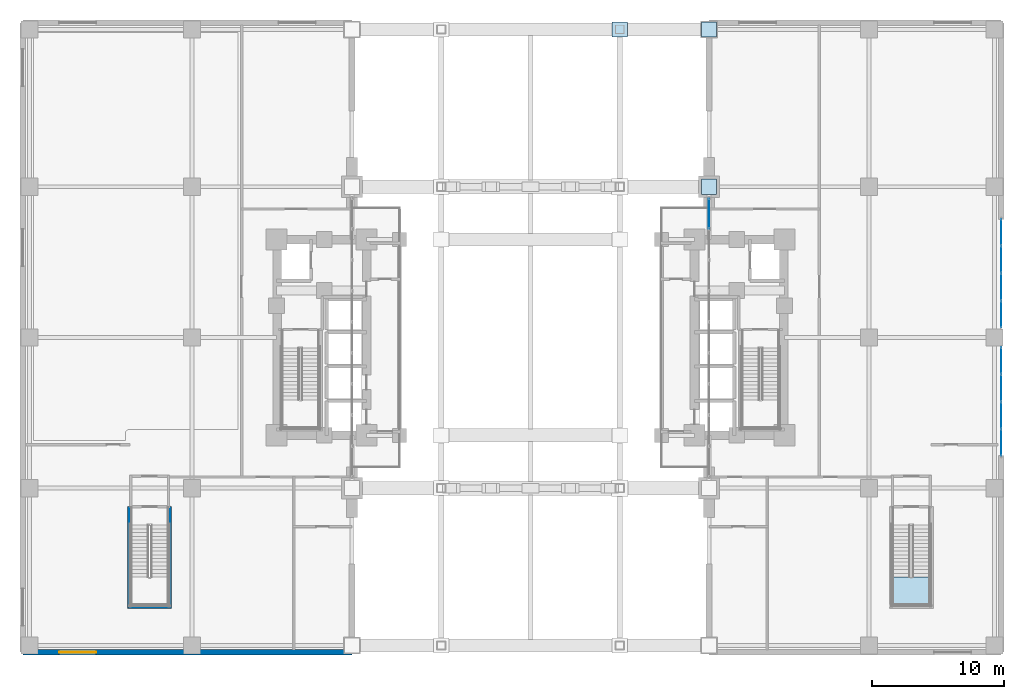
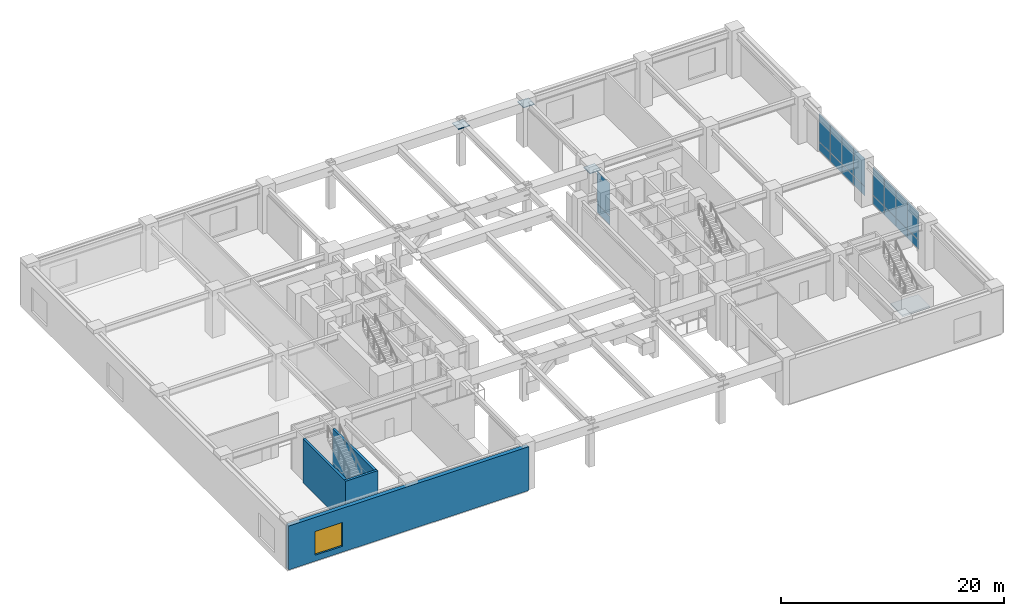
# One storey, part 17 of 26: 21 plates, 4 walls, 1 slab, 1 window, 1 opening, 4 elements without a shape of their own.
"""IFC4 building model written with IfcOpenShell, lengths in metres."""

from ifc_helpers import new_model, si_unit, direction, frame, frame_2d, origin, origin_2d, place, context, subcontext, project, spatial, polyline, rectangle, outline, extrude, material, layer, layer_set, type_object, element, fill, aggregate, save


model = new_model("IFC4")

# Units and contexts
model_context = context("Model", 3, precision=1e-05, world=origin(), true_north=direction((0.0, 1.0)))
body_context = subcontext(model_context, "Body", "Model", "MODEL_VIEW")
ifc_project = project(units=[si_unit("LENGTHUNIT", "METRE"), si_unit("AREAUNIT", "SQUARE_METRE"), si_unit("VOLUMEUNIT", "CUBIC_METRE"), si_unit("PLANEANGLEUNIT", "RADIAN"), si_unit("MASSUNIT", "GRAM", prefix="KILO")], contexts=[model_context])

# Site, building, storey
site_placement = place(None, origin())
site = spatial("IfcSite", under=ifc_project, at=site_placement, CompositionType="ELEMENT")
building_placement = place(site_placement, origin())
building = spatial("IfcBuilding", under=site, at=building_placement, Name="Voryun Gate Residences", CompositionType="ELEMENT")
storey_placement = place(building_placement, frame((0.0, 0.0, 15.60009765625)))
storey = spatial("IfcBuildingStorey", under=building, at=storey_placement, Name="L03", CompositionType="ELEMENT", Elevation=15.60009765625)

# Plates
ifc_material_1 = material(Name="Steel SM355", Category="steel")
ifc_layer_1 = layer(ifc_material_1, 0.02490234375, Name="PLT_END_CAP_25")
ifc_layer_set_1 = layer_set([ifc_layer_1], Name="Steel SM355")
plate_type_1 = type_object("IfcPlateType", Name="PLT_END_CAP_25", PredefinedType="USERDEFINED", material=ifc_layer_set_1)
for number, where, z_axis, x_axis, name in (
    (1, (13.5, 11.39990234375, 4.259765625), (0.0, 0.0, 1.0), (1.0, 0.0, 0.0), "L03 Hollow Member End-Cap Plate EC-028"),
    (2, (6.75, 23.300048828125, 4.259765625), (0.0, 0.0, 1.0), (1.0, 0.0, 0.0), "L03 Hollow Member End-Cap Plate EC-043"),
    (3, (13.5, 23.300048828125, 4.259765625), (0.0, 0.0, 1.0), (1.0, 0.0, 0.0), "L03 Hollow Member End-Cap Plate EC-044"),
):
    element("IfcPlate", number, at=place(storey_placement, frame(where, z_axis=z_axis, x_axis=x_axis)), inside=storey, type_object=plate_type_1, Name=name, ObjectType="BASE_PLATE", PredefinedType="USERDEFINED", context=body_context, shape_type="SweptSolid", body=[
        extrude(rectangle(XDim=1.139892578125, YDim=1.139892578125, at=origin_2d()), origin(), (0.0, 0.0, 1.0), 0.080078125),
    ])

# Curtain wall, plates
ifc_material_2 = material(Name="Anodised aluminium", Category="aluminium")
ifc_layer_2 = layer(ifc_material_2, 0.219970703125, Name="CW_SYS_POD_DARK_GLASS")
ifc_layer_set_2 = layer_set([ifc_layer_2], Name="Anodised aluminium")
curtain_wall_type_1 = type_object("IfcCurtainWallType", Name="CW_SYS_POD_DARK_GLASS", PredefinedType="NOTDEFINED", material=ifc_layer_set_2)
curtain_wall_1_placement = place(storey_placement, origin())
curtain_wall_1 = element("IfcCurtainWall", 4, at=curtain_wall_1_placement, inside=storey, type_object=curtain_wall_type_1, Name="Curtain wall CW1-L03-EPE-S", PredefinedType="NOTDEFINED")
ifc_material_3 = material(Name="Laminated low-E glass", Category="glass")
ifc_layer_3 = layer(ifc_material_3, 0.048095703125, Name="PLT_GLASS_DARK_POD")
ifc_layer_set_3 = layer_set([ifc_layer_3], Name="Laminated low-E glass")
plate_type_2 = type_object("IfcPlateType", Name="PLT_GLASS_DARK_POD", PredefinedType="CURTAIN_PANEL", material=ifc_layer_set_3)
plate_1_placement = place(storey_placement, frame((35.60009765625, -7.94677734375, 0.059814453125), z_axis=(0.0, 0.0, 1.0), x_axis=(0.0, 1.0, 0.0)))
plate_1 = element("IfcPlate", 5, at=plate_1_placement, type_object=plate_type_2, Name="CW1 panel 1.1", PredefinedType="CURTAIN_PANEL", context=body_context, shape_type="SweptSolid", body=[
    extrude(rectangle(XDim=1.986328125, YDim=0.028076171875, at=origin_2d()), origin(), (0.0, 0.0, 1.0), 0.9599609375),
])
plate_2_placement = place(storey_placement, frame((35.60009765625, -7.94677734375, 1.079833984375), z_axis=(0.0, 0.0, 1.0), x_axis=(0.0, 1.0, 0.0)))
plate_2 = element("IfcPlate", 6, at=plate_2_placement, type_object=plate_type_2, Name="CW1 panel 1.2", PredefinedType="CURTAIN_PANEL", context=body_context, shape_type="SweptSolid", body=[
    extrude(rectangle(XDim=1.986328125, YDim=0.028076171875, at=origin_2d()), origin(), (0.0, 0.0, 1.0), 3.06005859375),
])
plate_3_placement = place(storey_placement, frame((35.60009765625, -5.8857421875, 0.059814453125), z_axis=(0.0, 0.0, 1.0), x_axis=(0.0, 1.0, 0.0)))
plate_3 = element("IfcPlate", 7, at=plate_3_placement, type_object=plate_type_2, Name="CW1 panel 2.1", PredefinedType="CURTAIN_PANEL", context=body_context, shape_type="SweptSolid", body=[
    extrude(rectangle(XDim=2.016357421875, YDim=0.028076171875, at=origin_2d()), origin(), (0.0, 0.0, 1.0), 0.9599609375),
])
plate_4_placement = place(storey_placement, frame((35.60009765625, -5.8857421875, 1.079833984375), z_axis=(0.0, 0.0, 1.0), x_axis=(0.0, 1.0, 0.0)))
plate_4 = element("IfcPlate", 8, at=plate_4_placement, type_object=plate_type_2, Name="CW1 panel 2.2", PredefinedType="CURTAIN_PANEL", context=body_context, shape_type="SweptSolid", body=[
    extrude(rectangle(XDim=2.016357421875, YDim=0.028076171875, at=origin_2d()), origin(), (0.0, 0.0, 1.0), 3.06005859375),
])
plate_5_placement = place(storey_placement, frame((35.60009765625, -3.809326171875, 0.059814453125), z_axis=(0.0, 0.0, 1.0), x_axis=(0.0, 1.0, 0.0)))
plate_5 = element("IfcPlate", 9, at=plate_5_placement, type_object=plate_type_2, Name="CW1 panel 3.1", PredefinedType="CURTAIN_PANEL", context=body_context, shape_type="SweptSolid", body=[
    extrude(rectangle(XDim=2.016357421875, YDim=0.028076171875, at=origin_2d()), origin(), (0.0, 0.0, 1.0), 0.9599609375),
])
plate_6_placement = place(storey_placement, frame((35.60009765625, -3.809326171875, 1.079833984375), z_axis=(0.0, 0.0, 1.0), x_axis=(0.0, 1.0, 0.0)))
plate_6 = element("IfcPlate", 10, at=plate_6_placement, type_object=plate_type_2, Name="CW1 panel 3.2", PredefinedType="CURTAIN_PANEL", context=body_context, shape_type="SweptSolid", body=[
    extrude(rectangle(XDim=2.016357421875, YDim=0.028076171875, at=origin_2d()), origin(), (0.0, 0.0, 1.0), 3.06005859375),
])
plate_7_placement = place(storey_placement, frame((35.60009765625, -1.748046875, 0.059814453125), z_axis=(0.0, 0.0, 1.0), x_axis=(0.0, 1.0, 0.0)))
plate_7 = element("IfcPlate", 11, at=plate_7_placement, type_object=plate_type_2, Name="CW1 panel 4.1", PredefinedType="CURTAIN_PANEL", context=body_context, shape_type="SweptSolid", body=[
    extrude(rectangle(XDim=1.986328125, YDim=0.028076171875, at=origin_2d()), origin(), (0.0, 0.0, 1.0), 0.9599609375),
])
plate_8_placement = place(storey_placement, frame((35.60009765625, -1.748046875, 1.079833984375), z_axis=(0.0, 0.0, 1.0), x_axis=(0.0, 1.0, 0.0)))
plate_8 = element("IfcPlate", 12, at=plate_8_placement, type_object=plate_type_2, Name="CW1 panel 4.2", PredefinedType="CURTAIN_PANEL", context=body_context, shape_type="SweptSolid", body=[
    extrude(rectangle(XDim=1.986328125, YDim=0.028076171875, at=origin_2d()), origin(), (0.0, 0.0, 1.0), 3.06005859375),
])
aggregate(curtain_wall_1, [plate_1, plate_2, plate_3, plate_4, plate_5, plate_6, plate_7, plate_8])

curtain_wall_2_placement = place(storey_placement, origin())
curtain_wall_2 = element("IfcCurtainWall", 13, at=curtain_wall_2_placement, inside=storey, type_object=curtain_wall_type_1, Name="Curtain wall CW1-L03-EPE-N", PredefinedType="NOTDEFINED")
plate_9_placement = place(storey_placement, frame((35.60009765625, 1.748046875, 0.059814453125), z_axis=(0.0, 0.0, 1.0), x_axis=(0.0, 1.0, 0.0)))
plate_9 = element("IfcPlate", 14, at=plate_9_placement, type_object=plate_type_2, Name="CW1 panel 1.1", PredefinedType="CURTAIN_PANEL", context=body_context, shape_type="SweptSolid", body=[
    extrude(rectangle(XDim=1.986328125, YDim=0.028076171875, at=origin_2d()), origin(), (0.0, 0.0, 1.0), 0.9599609375),
])
plate_10_placement = place(storey_placement, frame((35.60009765625, 1.748046875, 1.079833984375), z_axis=(0.0, 0.0, 1.0), x_axis=(0.0, 1.0, 0.0)))
plate_10 = element("IfcPlate", 15, at=plate_10_placement, type_object=plate_type_2, Name="CW1 panel 1.2", PredefinedType="CURTAIN_PANEL", context=body_context, shape_type="SweptSolid", body=[
    extrude(rectangle(XDim=1.986328125, YDim=0.028076171875, at=origin_2d()), origin(), (0.0, 0.0, 1.0), 3.06005859375),
])
plate_11_placement = place(storey_placement, frame((35.60009765625, 3.809326171875, 0.059814453125), z_axis=(0.0, 0.0, 1.0), x_axis=(0.0, 1.0, 0.0)))
plate_11 = element("IfcPlate", 16, at=plate_11_placement, type_object=plate_type_2, Name="CW1 panel 2.1", PredefinedType="CURTAIN_PANEL", context=body_context, shape_type="SweptSolid", body=[
    extrude(rectangle(XDim=2.016357421875, YDim=0.028076171875, at=origin_2d()), origin(), (0.0, 0.0, 1.0), 0.9599609375),
])
plate_12_placement = place(storey_placement, frame((35.60009765625, 3.809326171875, 1.079833984375), z_axis=(0.0, 0.0, 1.0), x_axis=(0.0, 1.0, 0.0)))
plate_12 = element("IfcPlate", 17, at=plate_12_placement, type_object=plate_type_2, Name="CW1 panel 2.2", PredefinedType="CURTAIN_PANEL", context=body_context, shape_type="SweptSolid", body=[
    extrude(rectangle(XDim=2.016357421875, YDim=0.028076171875, at=origin_2d()), origin(), (0.0, 0.0, 1.0), 3.06005859375),
])
plate_13_placement = place(storey_placement, frame((35.60009765625, 5.8857421875, 0.059814453125), z_axis=(0.0, 0.0, 1.0), x_axis=(0.0, 1.0, 0.0)))
plate_13 = element("IfcPlate", 18, at=plate_13_placement, type_object=plate_type_2, Name="CW1 panel 3.1", PredefinedType="CURTAIN_PANEL", context=body_context, shape_type="SweptSolid", body=[
    extrude(rectangle(XDim=2.016357421875, YDim=0.028076171875, at=origin_2d()), origin(), (0.0, 0.0, 1.0), 0.9599609375),
])
plate_14_placement = place(storey_placement, frame((35.60009765625, 5.8857421875, 1.079833984375), z_axis=(0.0, 0.0, 1.0), x_axis=(0.0, 1.0, 0.0)))
plate_14 = element("IfcPlate", 19, at=plate_14_placement, type_object=plate_type_2, Name="CW1 panel 3.2", PredefinedType="CURTAIN_PANEL", context=body_context, shape_type="SweptSolid", body=[
    extrude(rectangle(XDim=2.016357421875, YDim=0.028076171875, at=origin_2d()), origin(), (0.0, 0.0, 1.0), 3.06005859375),
])
plate_15_placement = place(storey_placement, frame((35.60009765625, 7.94677734375, 0.059814453125), z_axis=(0.0, 0.0, 1.0), x_axis=(0.0, 1.0, 0.0)))
plate_15 = element("IfcPlate", 20, at=plate_15_placement, type_object=plate_type_2, Name="CW1 panel 4.1", PredefinedType="CURTAIN_PANEL", context=body_context, shape_type="SweptSolid", body=[
    extrude(rectangle(XDim=1.986328125, YDim=0.028076171875, at=origin_2d()), origin(), (0.0, 0.0, 1.0), 0.9599609375),
])
plate_16_placement = place(storey_placement, frame((35.60009765625, 7.94677734375, 1.079833984375), z_axis=(0.0, 0.0, 1.0), x_axis=(0.0, 1.0, 0.0)))
plate_16 = element("IfcPlate", 21, at=plate_16_placement, type_object=plate_type_2, Name="CW1 panel 4.2", PredefinedType="CURTAIN_PANEL", context=body_context, shape_type="SweptSolid", body=[
    extrude(rectangle(XDim=1.986328125, YDim=0.028076171875, at=origin_2d()), origin(), (0.0, 0.0, 1.0), 3.06005859375),
])
aggregate(curtain_wall_2, [plate_9, plate_10, plate_11, plate_12, plate_13, plate_14, plate_15, plate_16])

ifc_material_4 = material(Name="Anodised aluminium", Category="aluminium")
ifc_layer_4 = layer(ifc_material_4, 0.239990234375, Name="CW_SYS_ARCH_DARK_GLASS")
ifc_layer_set_4 = layer_set([ifc_layer_4], Name="Anodised aluminium")
curtain_wall_type_2 = type_object("IfcCurtainWallType", Name="CW_SYS_ARCH_DARK_GLASS", PredefinedType="NOTDEFINED", material=ifc_layer_set_4)
curtain_wall_3_placement = place(storey_placement, origin())
curtain_wall_3 = element("IfcCurtainWall", 22, at=curtain_wall_3_placement, inside=storey, type_object=curtain_wall_type_2, Name="Curtain wall CW2-L03-EP-M", PredefinedType="NOTDEFINED")
plate_17_placement = place(storey_placement, frame((13.5, 9.3671875, 0.059814453125), z_axis=(0.0, 0.0, 1.0), x_axis=(0.0, 1.0, 0.0)))
plate_17 = element("IfcPlate", 23, at=plate_17_placement, type_object=plate_type_2, Name="CW2 panel 9.1", PredefinedType="CURTAIN_PANEL", context=body_context, shape_type="SweptSolid", body=[
    extrude(rectangle(XDim=2.255615234375, YDim=0.028076171875, at=origin_2d()), origin(), (0.0, 0.0, 1.0), 0.9599609375),
])
plate_18_placement = place(storey_placement, frame((13.5, 9.3671875, 1.079833984375), z_axis=(0.0, 0.0, 1.0), x_axis=(0.0, 1.0, 0.0)))
plate_18 = element("IfcPlate", 24, at=plate_18_placement, type_object=plate_type_2, Name="CW2 panel 9.2", PredefinedType="CURTAIN_PANEL", context=body_context, shape_type="SweptSolid", body=[
    extrude(rectangle(XDim=2.255615234375, YDim=0.028076171875, at=origin_2d()), origin(), (0.0, 0.0, 1.0), 3.56005859375),
])
aggregate(curtain_wall_3, [plate_17, plate_18])

# Stair, slab
ifc_material_5 = material(Name="Concrete C40/50", Category="concrete")
stair_type = type_object("IfcStairType", Name="STR_CROWN_DOGLEG_1250", PredefinedType="HALF_TURN_STAIR", material=ifc_material_5)
stair_placement = place(storey_placement, origin())
stair = element("IfcStair", 25, at=stair_placement, inside=storey, type_object=stair_type, Name="L03 Special Escape Stair ST-P2", PredefinedType="HALF_TURN_STAIR")
ifc_material_6 = material(Name="Concrete C40/50", Category="concrete")
ifc_layer_5 = layer(ifc_material_6, 0.199951171875, Name="SLB_STAIR_LANDING_200")
ifc_layer_set_5 = layer_set([ifc_layer_5], Name="Concrete C40/50")
slab_type = type_object("IfcSlabType", Name="SLB_STAIR_LANDING_200", PredefinedType="LANDING", material=ifc_layer_set_5)
slab_placement = place(storey_placement, frame((0.0, 0.0, 2.39990234375)))
slab = element("IfcSlab", 26, at=slab_placement, type_object=slab_type, Name="ST-P2 landing 1", PredefinedType="LANDING", context=body_context, shape_type="SweptSolid", body=[
    extrude(outline(polyline([(27.375, -18.1201171875), (27.375, -20.25), (30.22509765625, -20.25), (30.22509765625, -18.1201171875), (27.375, -18.1201171875)])), origin(), (0.0, 0.0, 1.0), 0.199951171875),
])
aggregate(stair, [slab])

# Wall, opening, window
ifc_material_7 = material(Name="Granite masonry", Category="masonry")
ifc_layer_6 = layer(ifc_material_7, 0.419921875, Name="W_EXT_PODIUM_420")
ifc_layer_set_6 = layer_set([ifc_layer_6], Name="Granite masonry")
wall_type_1 = type_object("IfcWallType", Name="W_EXT_PODIUM_420", PredefinedType="ELEMENTEDWALL", material=ifc_layer_set_6)
wall_1_placement = place(storey_placement, frame((-38.39990234375, -23.800048828125, 0.0), z_axis=(0.0, 0.0, 1.0), x_axis=(1.0, 0.0, 0.0)))
wall_1 = element("IfcWall", 27, at=wall_1_placement, inside=storey, type_object=wall_type_1, Name="Exterior wall WEP-L03-WP-1", PredefinedType="ELEMENTEDWALL", context=body_context, shape_type="SweptSolid", body=[
    extrude(rectangle(XDim=24.89990234375, YDim=0.419921875, at=frame_2d((12.449951171875, 0.0))), origin(), (0.0, 0.0, 1.0), 4.7998046875),
])
opening_placement = place(wall_1_placement, frame((2.75, 0.0, 0.64990234375)))
opening = element("IfcOpeningElement", 28, at=opening_placement, cuts=wall_1, Name="Opening WN5", PredefinedType="OPENING", context=body_context, shape_type="SweptSolid", body=[
    extrude(rectangle(XDim=2.800048828125, YDim=2.60009765625, at=frame_2d((1.39990234375, 1.300048828125))), frame((0.0, 0.219970703125, 0.0), z_axis=(0.0, -1.0, 0.0), x_axis=(1.0, 0.0, 0.0)), (0.0, 0.0, 1.0), 0.43994140625),
])
ifc_material_8 = material(Name="Laminated low-E glass", Category="glass")
window_type = type_object("IfcWindowType", Name="WN_POD_GALLERY_2800", PartitioningType="SINGLE_PANEL", PredefinedType="WINDOW", material=ifc_material_8)
window_placement = place(opening_placement, origin())
window = element("IfcWindow", 29, at=window_placement, inside=storey, type_object=window_type, Name="Window WN-L03-WP-1-01", OverallHeight=2.60009765625, OverallWidth=2.800048828125, PartitioningType="SINGLE_PANEL", PredefinedType="WINDOW", context=body_context, shape_type="SweptSolid", body=[
    extrude(rectangle(XDim=2.800048828125, YDim=2.60009765625, at=frame_2d((1.39990234375, 1.300048828125))), frame((0.0, 0.030029296875, 0.0), z_axis=(0.0, -1.0, 0.0), x_axis=(1.0, 0.0, 0.0)), (0.0, 0.0, 1.0), 0.06005859375),
])
fill(opening, window)

# Walls
ifc_material_9 = material(Name="Concrete C50/60", Category="concrete")
ifc_layer_7 = layer(ifc_material_9, 0.25, Name="W_SHAFT_RC250")
ifc_layer_set_7 = layer_set([ifc_layer_7], Name="Concrete C50/60")
wall_type_2 = type_object("IfcWallType", Name="W_SHAFT_RC250", PredefinedType="SOLIDWALL", material=ifc_layer_set_7)
for number, where, z_axis, x_axis, name in (
    (30, (-30.340087890625, -20.485107421875, 0.0), (0.0, 0.0, 1.0), (0.0, 1.0, 0.0), "L03 Podium stair structural wall STP1-W"),
    (31, (-27.260009765625, -20.485107421875, 0.0), (0.0, 0.0, 1.0), (0.0, 1.0, 0.0), "L03 Podium stair structural wall STP1-E"),
):
    element("IfcWall", number, at=place(storey_placement, frame(where, z_axis=z_axis, x_axis=x_axis)), inside=storey, type_object=wall_type_2, Name=name, PredefinedType="SOLIDWALL", context=body_context, shape_type="SweptSolid", body=[
        extrude(rectangle(XDim=7.68505859375, YDim=0.25, at=frame_2d((3.842529296875, 0.0))), origin(), (0.0, 0.0, 1.0), 4.7998046875),
    ])
wall_2_placement = place(storey_placement, frame((-30.4599609375, -20.364990234375, 0.0), z_axis=(0.0, 0.0, 1.0), x_axis=(1.0, 0.0, 0.0)))
element("IfcWall", 32, at=wall_2_placement, inside=storey, type_object=wall_type_2, Name="L03 Podium stair structural wall STP1-S", PredefinedType="SOLIDWALL", context=body_context, shape_type="SweptSolid", body=[
    extrude(rectangle(XDim=3.320068359375, YDim=0.25, at=frame_2d((1.66015625, 0.0))), origin(), (0.0, 0.0, 1.0), 4.7998046875),
])

save(model, "model.ifc")
